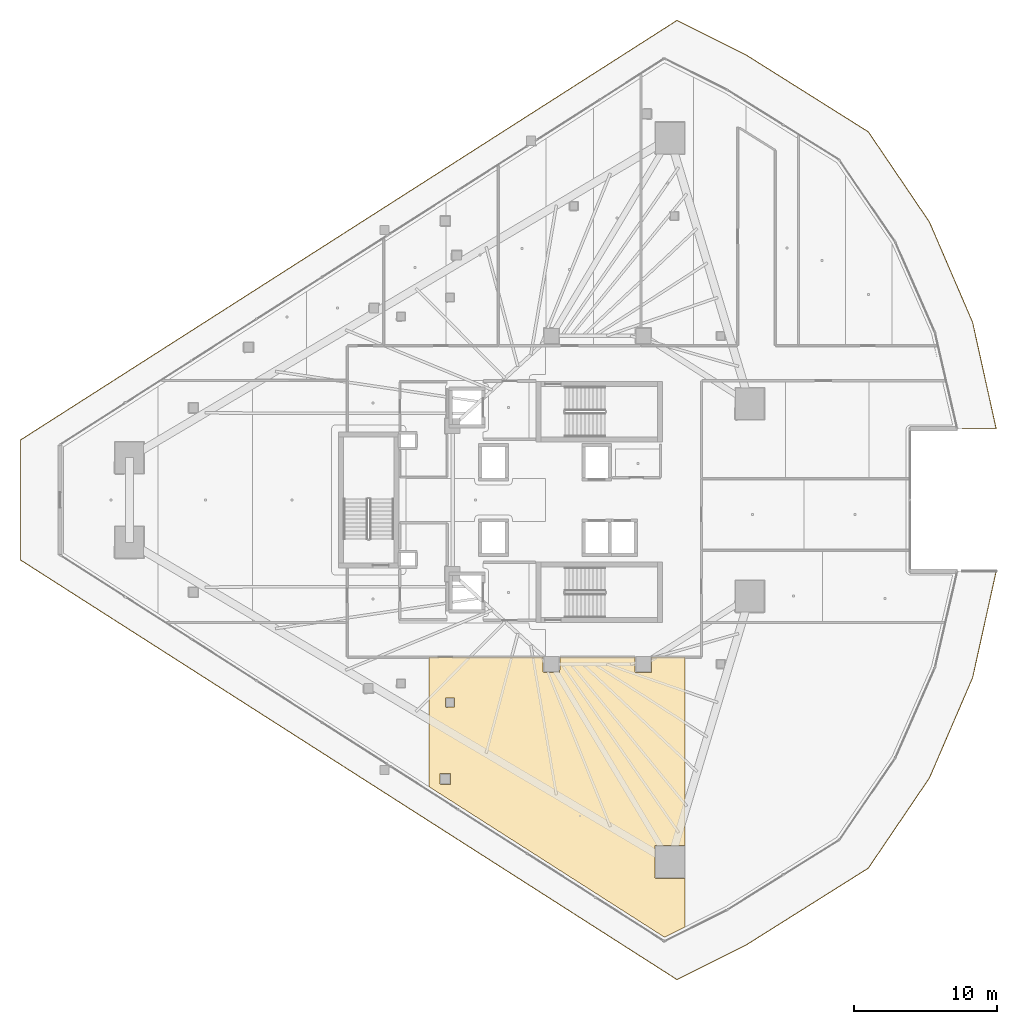
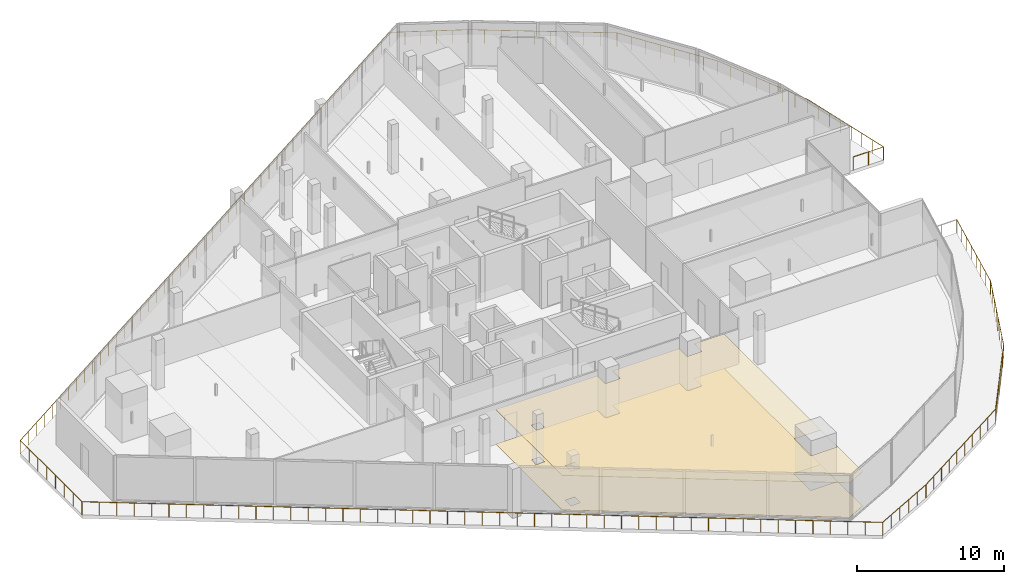
# One storey, part 31 of 35: 2 coverings, 1 railing.
"""IFC4 building model written with IfcOpenShell, lengths in metres."""

from ifc_helpers import new_model, si_unit, direction, frame, origin, origin_2d, place, context, subcontext, project, spatial, polyline, circle, outline, extrude, material, layer, layer_set, type_object, element, save


model = new_model("IFC4")

# Units and contexts
model_context = context("Model", 3, precision=1e-05, world=origin(), true_north=direction((0.0, 1.0)))
body_context = subcontext(model_context, "Body", "Model", "MODEL_VIEW")
ifc_project = project(units=[si_unit("LENGTHUNIT", "METRE"), si_unit("AREAUNIT", "SQUARE_METRE"), si_unit("VOLUMEUNIT", "CUBIC_METRE"), si_unit("PLANEANGLEUNIT", "RADIAN"), si_unit("MASSUNIT", "GRAM", prefix="KILO")], contexts=[model_context])

# Site, building, storey
site_placement = place(None, origin())
site = spatial("IfcSite", under=ifc_project, at=site_placement, CompositionType="ELEMENT")
building_placement = place(site_placement, origin())
building = spatial("IfcBuilding", under=site, at=building_placement, Name="Qorvath Tower", CompositionType="ELEMENT")
storey_placement = place(building_placement, frame((0.0, 0.0, 130.050048828125)))
storey = spatial("IfcBuildingStorey", under=building, at=storey_placement, Name="L29", CompositionType="ELEMENT", Elevation=130.050048828125)

# Coverings
ifc_material_1 = material(Name="Acoustic mineral fibre ceiling tile", Category="gypsum")
ifc_layer_1 = layer(ifc_material_1, 0.030029296875)
ifc_layer_set_1 = layer_set([ifc_layer_1], Name="COV-CEIL")
covering_type_1 = type_object("IfcCoveringType", Name="COV-CEIL", PredefinedType="CEILING", material=ifc_layer_set_1)
covering_1_placement = place(storey_placement, frame((0.0, 0.0, 2.849853515625)))
element("IfcCovering", 1, at=covering_1_placement, inside=storey, type_object=covering_type_1, Name="L29 Suspended Acoustic Ceiling 023", PredefinedType="CEILING", context=body_context, shape_type="SweptSolid", body=[
    extrude(outline(polyline([(-14.27880859375, -29.775390625), (-14.27880859375, -10.962890625), (-16.614990234375, -10.962890625), (-16.632568359375, -12.017333984375), (-17.72509765625, -12.034912109375), (-17.784912109375, -11.97509765625), (-17.784912109375, -10.962890625), (-23.014892578125, -10.962890625), (-23.032470703125, -12.017333984375), (-24.125, -12.034912109375), (-24.18505859375, -11.97509765625), (-24.18505859375, -10.962890625), (-32.165283203125, -10.962890625), (-32.165283203125, -19.98681640625), (-15.721435546875, -30.49658203125), (-14.27880859375, -29.775390625)]), holes=[polyline([(-16.404296875, -26.34619140625), (-16.38671875, -24.103759765625), (-14.3017578125, -24.103759765625), (-14.3017578125, -26.388427734375), (-16.34423828125, -26.406005859375), (-16.404296875, -26.34619140625)]), polyline([(-31.01220703125, -14.3994140625), (-30.99462890625, -13.806884765625), (-30.35986328125, -13.806884765625), (-30.35986328125, -14.441650390625), (-30.9521484375, -14.459228515625), (-31.01220703125, -14.3994140625)]), polyline([(-31.401123046875, -19.785400390625), (-31.383544921875, -19.093017578125), (-30.648681640625, -19.093017578125), (-30.648681640625, -19.827880859375), (-31.341064453125, -19.845458984375), (-31.401123046875, -19.785400390625)])]), origin(), (0.0, 0.0, 1.0), 0.030029296875),
])
ifc_material_2 = material(Name="Low-VOC modular carpet tile", Category="textile")
ifc_layer_2 = layer(ifc_material_2, 0.014892578125)
ifc_layer_set_2 = layer_set([ifc_layer_2], Name="COV-FLOOR-CPT")
covering_type_2 = type_object("IfcCoveringType", Name="COV-FLOOR-CPT", PredefinedType="FLOORING", material=ifc_layer_set_2)
covering_2_placement = place(storey_placement, origin())
element("IfcCovering", 2, at=covering_2_placement, inside=storey, type_object=covering_type_2, Name="L29 Floor Finish 023", PredefinedType="FLOORING", context=body_context, shape_type="SweptSolid", body=[
    extrude(outline(polyline([(-14.27880859375, -29.775390625), (-14.27880859375, -10.962890625), (-16.614990234375, -10.962890625), (-16.632568359375, -12.017333984375), (-17.72509765625, -12.034912109375), (-17.784912109375, -11.97509765625), (-17.784912109375, -10.962890625), (-23.014892578125, -10.962890625), (-23.032470703125, -12.017333984375), (-24.125, -12.034912109375), (-24.18505859375, -11.97509765625), (-24.18505859375, -10.962890625), (-32.165283203125, -10.962890625), (-32.165283203125, -19.98681640625), (-15.721435546875, -30.49658203125), (-14.27880859375, -29.775390625)]), holes=[polyline([(-16.404296875, -26.34619140625), (-16.38671875, -24.103759765625), (-14.3017578125, -24.103759765625), (-14.3017578125, -26.388427734375), (-16.34423828125, -26.406005859375), (-16.404296875, -26.34619140625)]), polyline([(-31.01220703125, -14.3994140625), (-30.99462890625, -13.806884765625), (-30.35986328125, -13.806884765625), (-30.35986328125, -14.441650390625), (-30.9521484375, -14.459228515625), (-31.01220703125, -14.3994140625)]), polyline([(-31.401123046875, -19.785400390625), (-31.383544921875, -19.093017578125), (-30.648681640625, -19.093017578125), (-30.648681640625, -19.827880859375), (-31.341064453125, -19.845458984375), (-31.401123046875, -19.785400390625)])]), origin(), (0.0, 0.0, 1.0), 0.014892578125),
])

# Railing
ifc_material_3 = material(Name="Laminated safety glass and stainless steel AISI 316", Category="steel")
railing_type = type_object("IfcRailingType", Name="RL-EXT-GRD", PredefinedType="GUARDRAIL", material=ifc_material_3)
railing_placement = place(storey_placement, frame((7.4150390625, -4.968017578125, 0.0)))
element("IfcRailing", 3, at=railing_placement, inside=storey, type_object=railing_type, Name="Loggia Perimeter Guardrail L29-1.1", PredefinedType="GUARDRAIL", context=body_context, shape_type="SweptSolid", body=[
    extrude(circle(Radius=0.02392578125, at=origin_2d()), frame((0.0, 0.0, 1.09619140625), z_axis=(-0.216101297226, -0.976370948634, 0.0), x_axis=(0.976370948634, -0.216101297226, 0.0)), (0.0, 0.0, 1.0), 7.607666015625),
    extrude(circle(Radius=0.02392578125, at=origin_2d()), frame((-1.64404296875, -7.427978515625, 1.09619140625), z_axis=(-0.395471886854, -0.918478081779, 0.0), x_axis=(0.918478081779, -0.395471886854, 0.0)), (0.0, 0.0, 1.0), 7.607421875),
    extrude(circle(Radius=0.02392578125, at=origin_2d()), frame((-4.652587890625, -14.415283203125, 1.09619140625), z_axis=(-0.560831824611, -0.827929746116, 0.0), x_axis=(0.827929746116, -0.560831824611, 0.0)), (0.0, 0.0, 1.0), 7.607666015625),
    extrude(circle(Radius=0.02392578125, at=origin_2d()), frame((-8.919189453125, -20.7138671875, 1.09619140625), z_axis=(-0.846499520237, -0.532389483592, 0.0), x_axis=(0.532389483592, -0.846499520237, 0.0)), (0.0, 0.0, 1.0), 10.11669921875),
    extrude(circle(Radius=0.02392578125, at=origin_2d()), frame((-17.48291015625, -26.099853515625, 1.09619140625), z_axis=(-0.894418053376, -0.447231870281, 0.0), x_axis=(0.447231870281, -0.894418053376, 0.0)), (0.0, 0.0, 1.0), 5.34375),
    extrude(circle(Radius=0.02392578125, at=origin_2d()), frame((-22.262451171875, -28.48974609375, 1.09619140625), z_axis=(-0.842602631353, 0.538535797916, 0.0), x_axis=(-0.538535797916, -0.842602631353, 0.0)), (0.0, 0.0, 1.0), 54.361572265625),
    extrude(circle(Radius=0.02392578125, at=origin_2d()), frame((-68.067626953125, 0.785888671875, 1.09619140625), z_axis=(0.0, 1.0, 0.0), x_axis=(-1.0, 0.0, 0.0)), (0.0, 0.0, 1.0), 8.3642578125),
    extrude(circle(Radius=0.02392578125, at=origin_2d()), frame((-68.067626953125, 9.150146484375, 1.09619140625), z_axis=(0.842602631353, 0.538535797916, 0.0), x_axis=(-0.538535797916, 0.842602631353, 0.0)), (0.0, 0.0, 1.0), 54.361572265625),
    extrude(circle(Radius=0.02392578125, at=origin_2d()), frame((-22.262451171875, 38.42578125, 1.09619140625), z_axis=(0.894418053376, -0.447231870281, 0.0), x_axis=(0.447231870281, 0.894418053376, 0.0)), (0.0, 0.0, 1.0), 5.34375),
    extrude(circle(Radius=0.02392578125, at=origin_2d()), frame((-17.48291015625, 36.035888671875, 1.09619140625), z_axis=(0.846499520237, -0.532389483592, 0.0), x_axis=(0.532389483592, 0.846499520237, 0.0)), (0.0, 0.0, 1.0), 10.11669921875),
    extrude(circle(Radius=0.02392578125, at=origin_2d()), frame((-8.919189453125, 30.64990234375, 1.09619140625), z_axis=(0.560831824611, -0.827929746116, 0.0), x_axis=(0.827929746116, 0.560831824611, 0.0)), (0.0, 0.0, 1.0), 7.607666015625),
    extrude(circle(Radius=0.02392578125, at=origin_2d()), frame((-4.652587890625, 24.351318359375, 1.09619140625), z_axis=(0.395471886854, -0.918478081779, 0.0), x_axis=(0.918478081779, 0.395471886854, 0.0)), (0.0, 0.0, 1.0), 7.607421875),
    extrude(circle(Radius=0.02392578125, at=origin_2d()), frame((-1.64404296875, 17.364013671875, 1.09619140625), z_axis=(0.216101297226, -0.976370948634, 0.0), x_axis=(0.976370948634, 0.216101297226, 0.0)), (0.0, 0.0, 1.0), 7.607666015625),
    extrude(circle(Radius=0.02392578125, at=origin_2d()), frame((0.0, 9.93603515625, 1.09619140625), z_axis=(-1.0, 0.0, 0.0), x_axis=(0.0, -1.0, 0.0)), (0.0, 0.0, 1.0), 2.366455078125),
    extrude(circle(Radius=0.02099609375, at=origin_2d()), origin(), (0.0, 0.0, 1.0), 1.072021484375),
    extrude(circle(Radius=0.02099609375, at=origin_2d()), frame((-0.23486328125, -1.06103515625, 0.0)), (0.0, 0.0, 1.0), 1.072021484375),
    extrude(circle(Radius=0.02099609375, at=origin_2d()), frame((-0.4697265625, -2.122314453125, 0.0)), (0.0, 0.0, 1.0), 1.072021484375),
    extrude(circle(Radius=0.02099609375, at=origin_2d()), frame((-0.70458984375, -3.183349609375, 0.0)), (0.0, 0.0, 1.0), 1.072021484375),
    extrude(circle(Radius=0.02099609375, at=origin_2d()), frame((-0.939453125, -4.24462890625, 0.0)), (0.0, 0.0, 1.0), 1.072021484375),
    extrude(circle(Radius=0.02099609375, at=origin_2d()), frame((-1.17431640625, -5.3056640625, 0.0)), (0.0, 0.0, 1.0), 1.072021484375),
    extrude(circle(Radius=0.02099609375, at=origin_2d()), frame((-1.4091796875, -6.366943359375, 0.0)), (0.0, 0.0, 1.0), 1.072021484375),
    extrude(circle(Radius=0.02099609375, at=origin_2d()), frame((-1.64404296875, -7.427978515625, 0.0)), (0.0, 0.0, 1.0), 1.072021484375),
    extrude(circle(Radius=0.02099609375, at=origin_2d()), frame((-2.07373046875, -8.42626953125, 0.0)), (0.0, 0.0, 1.0), 1.072021484375),
    extrude(circle(Radius=0.02099609375, at=origin_2d()), frame((-2.503662109375, -9.42431640625, 0.0)), (0.0, 0.0, 1.0), 1.072021484375),
    extrude(circle(Radius=0.02099609375, at=origin_2d()), frame((-2.933349609375, -10.422607421875, 0.0)), (0.0, 0.0, 1.0), 1.072021484375),
    extrude(circle(Radius=0.02099609375, at=origin_2d()), frame((-3.36328125, -11.420654296875, 0.0)), (0.0, 0.0, 1.0), 1.072021484375),
    extrude(circle(Radius=0.02099609375, at=origin_2d()), frame((-3.79296875, -12.4189453125, 0.0)), (0.0, 0.0, 1.0), 1.072021484375),
    extrude(circle(Radius=0.02099609375, at=origin_2d()), frame((-4.222900390625, -13.4169921875, 0.0)), (0.0, 0.0, 1.0), 1.072021484375),
    extrude(circle(Radius=0.02099609375, at=origin_2d()), frame((-4.652587890625, -14.415283203125, 0.0)), (0.0, 0.0, 1.0), 1.072021484375),
    extrude(circle(Radius=0.02099609375, at=origin_2d()), frame((-5.26220703125, -15.315185546875, 0.0)), (0.0, 0.0, 1.0), 1.072021484375),
    extrude(circle(Radius=0.02099609375, at=origin_2d()), frame((-5.87158203125, -16.21484375, 0.0)), (0.0, 0.0, 1.0), 1.072021484375),
    extrude(circle(Radius=0.02099609375, at=origin_2d()), frame((-6.481201171875, -17.11474609375, 0.0)), (0.0, 0.0, 1.0), 1.072021484375),
    extrude(circle(Radius=0.02099609375, at=origin_2d()), frame((-7.090576171875, -18.014404296875, 0.0)), (0.0, 0.0, 1.0), 1.072021484375),
    extrude(circle(Radius=0.02099609375, at=origin_2d()), frame((-7.7001953125, -18.914306640625, 0.0)), (0.0, 0.0, 1.0), 1.072021484375),
    extrude(circle(Radius=0.02099609375, at=origin_2d()), frame((-8.3095703125, -19.81396484375, 0.0)), (0.0, 0.0, 1.0), 1.072021484375),
    extrude(circle(Radius=0.02099609375, at=origin_2d()), frame((-8.919189453125, -20.7138671875, 0.0)), (0.0, 0.0, 1.0), 1.072021484375),
    extrude(circle(Radius=0.02099609375, at=origin_2d()), frame((-9.87060546875, -21.312255859375, 0.0)), (0.0, 0.0, 1.0), 1.072021484375),
    extrude(circle(Radius=0.02099609375, at=origin_2d()), frame((-10.822265625, -21.91064453125, 0.0)), (0.0, 0.0, 1.0), 1.072021484375),
    extrude(circle(Radius=0.02099609375, at=origin_2d()), frame((-11.773681640625, -22.50927734375, 0.0)), (0.0, 0.0, 1.0), 1.072021484375),
    extrude(circle(Radius=0.02099609375, at=origin_2d()), frame((-12.725341796875, -23.107666015625, 0.0)), (0.0, 0.0, 1.0), 1.072021484375),
    extrude(circle(Radius=0.02099609375, at=origin_2d()), frame((-13.6767578125, -23.7060546875, 0.0)), (0.0, 0.0, 1.0), 1.072021484375),
    extrude(circle(Radius=0.02099609375, at=origin_2d()), frame((-14.62841796875, -24.304443359375, 0.0)), (0.0, 0.0, 1.0), 1.072021484375),
    extrude(circle(Radius=0.02099609375, at=origin_2d()), frame((-15.579833984375, -24.903076171875, 0.0)), (0.0, 0.0, 1.0), 1.072021484375),
    extrude(circle(Radius=0.02099609375, at=origin_2d()), frame((-16.531494140625, -25.50146484375, 0.0)), (0.0, 0.0, 1.0), 1.072021484375),
    extrude(circle(Radius=0.02099609375, at=origin_2d()), frame((-17.48291015625, -26.099853515625, 0.0)), (0.0, 0.0, 1.0), 1.072021484375),
    extrude(circle(Radius=0.02099609375, at=origin_2d()), frame((-18.438720703125, -26.577880859375, 0.0)), (0.0, 0.0, 1.0), 1.072021484375),
    extrude(circle(Radius=0.02099609375, at=origin_2d()), frame((-19.394775390625, -27.055908203125, 0.0)), (0.0, 0.0, 1.0), 1.072021484375),
    extrude(circle(Radius=0.02099609375, at=origin_2d()), frame((-20.3505859375, -27.53369140625, 0.0)), (0.0, 0.0, 1.0), 1.072021484375),
    extrude(circle(Radius=0.02099609375, at=origin_2d()), frame((-21.306640625, -28.01171875, 0.0)), (0.0, 0.0, 1.0), 1.072021484375),
    extrude(circle(Radius=0.02099609375, at=origin_2d()), frame((-22.262451171875, -28.48974609375, 0.0)), (0.0, 0.0, 1.0), 1.072021484375),
    extrude(circle(Radius=0.02099609375, at=origin_2d()), frame((-23.25830078125, -27.853271484375, 0.0)), (0.0, 0.0, 1.0), 1.072021484375),
    extrude(circle(Radius=0.02099609375, at=origin_2d()), frame((-24.25390625, -27.216796875, 0.0)), (0.0, 0.0, 1.0), 1.072021484375),
    extrude(circle(Radius=0.02099609375, at=origin_2d()), frame((-25.249755859375, -26.58056640625, 0.0)), (0.0, 0.0, 1.0), 1.072021484375),
    extrude(circle(Radius=0.02099609375, at=origin_2d()), frame((-26.24560546875, -25.944091796875, 0.0)), (0.0, 0.0, 1.0), 1.072021484375),
    extrude(circle(Radius=0.02099609375, at=origin_2d()), frame((-27.2412109375, -25.3076171875, 0.0)), (0.0, 0.0, 1.0), 1.072021484375),
    extrude(circle(Radius=0.02099609375, at=origin_2d()), frame((-28.237060546875, -24.671142578125, 0.0)), (0.0, 0.0, 1.0), 1.072021484375),
    extrude(circle(Radius=0.02099609375, at=origin_2d()), frame((-29.23291015625, -24.03466796875, 0.0)), (0.0, 0.0, 1.0), 1.072021484375),
    extrude(circle(Radius=0.02099609375, at=origin_2d()), frame((-30.228515625, -23.3984375, 0.0)), (0.0, 0.0, 1.0), 1.072021484375),
    extrude(circle(Radius=0.02099609375, at=origin_2d()), frame((-31.224365234375, -22.761962890625, 0.0)), (0.0, 0.0, 1.0), 1.072021484375),
    extrude(circle(Radius=0.02099609375, at=origin_2d()), frame((-32.22021484375, -22.12548828125, 0.0)), (0.0, 0.0, 1.0), 1.072021484375),
    extrude(circle(Radius=0.02099609375, at=origin_2d()), frame((-33.2158203125, -21.489013671875, 0.0)), (0.0, 0.0, 1.0), 1.072021484375),
    extrude(circle(Radius=0.02099609375, at=origin_2d()), frame((-34.211669921875, -20.8525390625, 0.0)), (0.0, 0.0, 1.0), 1.072021484375),
    extrude(circle(Radius=0.02099609375, at=origin_2d()), frame((-35.207275390625, -20.21630859375, 0.0)), (0.0, 0.0, 1.0), 1.072021484375),
    extrude(circle(Radius=0.02099609375, at=origin_2d()), frame((-36.203125, -19.579833984375, 0.0)), (0.0, 0.0, 1.0), 1.072021484375),
    extrude(circle(Radius=0.02099609375, at=origin_2d()), frame((-37.198974609375, -18.943359375, 0.0)), (0.0, 0.0, 1.0), 1.072021484375),
    extrude(circle(Radius=0.02099609375, at=origin_2d()), frame((-38.194580078125, -18.306884765625, 0.0)), (0.0, 0.0, 1.0), 1.072021484375),
    extrude(circle(Radius=0.02099609375, at=origin_2d()), frame((-39.1904296875, -17.67041015625, 0.0)), (0.0, 0.0, 1.0), 1.072021484375),
    extrude(circle(Radius=0.02099609375, at=origin_2d()), frame((-40.186279296875, -17.0341796875, 0.0)), (0.0, 0.0, 1.0), 1.072021484375),
    extrude(circle(Radius=0.02099609375, at=origin_2d()), frame((-41.181884765625, -16.397705078125, 0.0)), (0.0, 0.0, 1.0), 1.072021484375),
    extrude(circle(Radius=0.02099609375, at=origin_2d()), frame((-42.177734375, -15.76123046875, 0.0)), (0.0, 0.0, 1.0), 1.072021484375),
    extrude(circle(Radius=0.02099609375, at=origin_2d()), frame((-43.173583984375, -15.124755859375, 0.0)), (0.0, 0.0, 1.0), 1.072021484375),
    extrude(circle(Radius=0.02099609375, at=origin_2d()), frame((-44.169189453125, -14.48828125, 0.0)), (0.0, 0.0, 1.0), 1.072021484375),
    extrude(circle(Radius=0.02099609375, at=origin_2d()), frame((-45.1650390625, -13.85205078125, 0.0)), (0.0, 0.0, 1.0), 1.072021484375),
    extrude(circle(Radius=0.02099609375, at=origin_2d()), frame((-46.160888671875, -13.215576171875, 0.0)), (0.0, 0.0, 1.0), 1.072021484375),
    extrude(circle(Radius=0.02099609375, at=origin_2d()), frame((-47.156494140625, -12.5791015625, 0.0)), (0.0, 0.0, 1.0), 1.072021484375),
    extrude(circle(Radius=0.02099609375, at=origin_2d()), frame((-48.15234375, -11.942626953125, 0.0)), (0.0, 0.0, 1.0), 1.072021484375),
    extrude(circle(Radius=0.02099609375, at=origin_2d()), frame((-49.148193359375, -11.30615234375, 0.0)), (0.0, 0.0, 1.0), 1.072021484375),
    extrude(circle(Radius=0.02099609375, at=origin_2d()), frame((-50.143798828125, -10.669677734375, 0.0)), (0.0, 0.0, 1.0), 1.072021484375),
    extrude(circle(Radius=0.02099609375, at=origin_2d()), frame((-51.1396484375, -10.033447265625, 0.0)), (0.0, 0.0, 1.0), 1.072021484375),
    extrude(circle(Radius=0.02099609375, at=origin_2d()), frame((-52.135498046875, -9.39697265625, 0.0)), (0.0, 0.0, 1.0), 1.072021484375),
    extrude(circle(Radius=0.02099609375, at=origin_2d()), frame((-53.131103515625, -8.760498046875, 0.0)), (0.0, 0.0, 1.0), 1.072021484375),
    extrude(circle(Radius=0.02099609375, at=origin_2d()), frame((-54.126953125, -8.1240234375, 0.0)), (0.0, 0.0, 1.0), 1.072021484375),
    extrude(circle(Radius=0.02099609375, at=origin_2d()), frame((-55.122802734375, -7.487548828125, 0.0)), (0.0, 0.0, 1.0), 1.072021484375),
    extrude(circle(Radius=0.02099609375, at=origin_2d()), frame((-56.118408203125, -6.851318359375, 0.0)), (0.0, 0.0, 1.0), 1.072021484375),
    extrude(circle(Radius=0.02099609375, at=origin_2d()), frame((-57.1142578125, -6.21484375, 0.0)), (0.0, 0.0, 1.0), 1.072021484375),
    extrude(circle(Radius=0.02099609375, at=origin_2d()), frame((-58.10986328125, -5.578369140625, 0.0)), (0.0, 0.0, 1.0), 1.072021484375),
    extrude(circle(Radius=0.02099609375, at=origin_2d()), frame((-59.105712890625, -4.94189453125, 0.0)), (0.0, 0.0, 1.0), 1.072021484375),
    extrude(circle(Radius=0.02099609375, at=origin_2d()), frame((-60.1015625, -4.305419921875, 0.0)), (0.0, 0.0, 1.0), 1.072021484375),
    extrude(circle(Radius=0.02099609375, at=origin_2d()), frame((-61.09716796875, -3.669189453125, 0.0)), (0.0, 0.0, 1.0), 1.072021484375),
    extrude(circle(Radius=0.02099609375, at=origin_2d()), frame((-62.093017578125, -3.03271484375, 0.0)), (0.0, 0.0, 1.0), 1.072021484375),
    extrude(circle(Radius=0.02099609375, at=origin_2d()), frame((-63.0888671875, -2.396240234375, 0.0)), (0.0, 0.0, 1.0), 1.072021484375),
    extrude(circle(Radius=0.02099609375, at=origin_2d()), frame((-64.08447265625, -1.759765625, 0.0)), (0.0, 0.0, 1.0), 1.072021484375),
    extrude(circle(Radius=0.02099609375, at=origin_2d()), frame((-65.080322265625, -1.123291015625, 0.0)), (0.0, 0.0, 1.0), 1.072021484375),
    extrude(circle(Radius=0.02099609375, at=origin_2d()), frame((-66.076171875, -0.487060546875, 0.0)), (0.0, 0.0, 1.0), 1.072021484375),
    extrude(circle(Radius=0.02099609375, at=origin_2d()), frame((-67.07177734375, 0.1494140625, 0.0)), (0.0, 0.0, 1.0), 1.072021484375),
    extrude(circle(Radius=0.02099609375, at=origin_2d()), frame((-68.067626953125, 0.785888671875, 0.0)), (0.0, 0.0, 1.0), 1.072021484375),
    extrude(circle(Radius=0.02099609375, at=origin_2d()), frame((-68.067626953125, 1.980712890625, 0.0)), (0.0, 0.0, 1.0), 1.072021484375),
    extrude(circle(Radius=0.02099609375, at=origin_2d()), frame((-68.067626953125, 3.17578125, 0.0)), (0.0, 0.0, 1.0), 1.072021484375),
    extrude(circle(Radius=0.02099609375, at=origin_2d()), frame((-68.067626953125, 4.37060546875, 0.0)), (0.0, 0.0, 1.0), 1.072021484375),
    extrude(circle(Radius=0.02099609375, at=origin_2d()), frame((-68.067626953125, 5.5654296875, 0.0)), (0.0, 0.0, 1.0), 1.072021484375),
    extrude(circle(Radius=0.02099609375, at=origin_2d()), frame((-68.067626953125, 6.76025390625, 0.0)), (0.0, 0.0, 1.0), 1.072021484375),
    extrude(circle(Radius=0.02099609375, at=origin_2d()), frame((-68.067626953125, 7.955322265625, 0.0)), (0.0, 0.0, 1.0), 1.072021484375),
    extrude(circle(Radius=0.02099609375, at=origin_2d()), frame((-68.067626953125, 9.150146484375, 0.0)), (0.0, 0.0, 1.0), 1.072021484375),
    extrude(circle(Radius=0.02099609375, at=origin_2d()), frame((-67.07177734375, 9.78662109375, 0.0)), (0.0, 0.0, 1.0), 1.072021484375),
    extrude(circle(Radius=0.02099609375, at=origin_2d()), frame((-66.076171875, 10.423095703125, 0.0)), (0.0, 0.0, 1.0), 1.072021484375),
    extrude(circle(Radius=0.02099609375, at=origin_2d()), frame((-65.080322265625, 11.059326171875, 0.0)), (0.0, 0.0, 1.0), 1.072021484375),
    extrude(circle(Radius=0.02099609375, at=origin_2d()), frame((-64.08447265625, 11.69580078125, 0.0)), (0.0, 0.0, 1.0), 1.072021484375),
    extrude(circle(Radius=0.02099609375, at=origin_2d()), frame((-63.0888671875, 12.332275390625, 0.0)), (0.0, 0.0, 1.0), 1.072021484375),
    extrude(circle(Radius=0.02099609375, at=origin_2d()), frame((-62.093017578125, 12.96875, 0.0)), (0.0, 0.0, 1.0), 1.072021484375),
    extrude(circle(Radius=0.02099609375, at=origin_2d()), frame((-61.09716796875, 13.605224609375, 0.0)), (0.0, 0.0, 1.0), 1.072021484375),
    extrude(circle(Radius=0.02099609375, at=origin_2d()), frame((-60.1015625, 14.241455078125, 0.0)), (0.0, 0.0, 1.0), 1.072021484375),
    extrude(circle(Radius=0.02099609375, at=origin_2d()), frame((-59.105712890625, 14.8779296875, 0.0)), (0.0, 0.0, 1.0), 1.072021484375),
    extrude(circle(Radius=0.02099609375, at=origin_2d()), frame((-58.10986328125, 15.514404296875, 0.0)), (0.0, 0.0, 1.0), 1.072021484375),
    extrude(circle(Radius=0.02099609375, at=origin_2d()), frame((-57.1142578125, 16.15087890625, 0.0)), (0.0, 0.0, 1.0), 1.072021484375),
    extrude(circle(Radius=0.02099609375, at=origin_2d()), frame((-56.118408203125, 16.787353515625, 0.0)), (0.0, 0.0, 1.0), 1.072021484375),
    extrude(circle(Radius=0.02099609375, at=origin_2d()), frame((-55.122802734375, 17.423583984375, 0.0)), (0.0, 0.0, 1.0), 1.072021484375),
    extrude(circle(Radius=0.02099609375, at=origin_2d()), frame((-54.126953125, 18.06005859375, 0.0)), (0.0, 0.0, 1.0), 1.072021484375),
    extrude(circle(Radius=0.02099609375, at=origin_2d()), frame((-53.131103515625, 18.696533203125, 0.0)), (0.0, 0.0, 1.0), 1.072021484375),
    extrude(circle(Radius=0.02099609375, at=origin_2d()), frame((-52.135498046875, 19.3330078125, 0.0)), (0.0, 0.0, 1.0), 1.072021484375),
    extrude(circle(Radius=0.02099609375, at=origin_2d()), frame((-51.1396484375, 19.969482421875, 0.0)), (0.0, 0.0, 1.0), 1.072021484375),
    extrude(circle(Radius=0.02099609375, at=origin_2d()), frame((-50.143798828125, 20.605712890625, 0.0)), (0.0, 0.0, 1.0), 1.072021484375),
    extrude(circle(Radius=0.02099609375, at=origin_2d()), frame((-49.148193359375, 21.2421875, 0.0)), (0.0, 0.0, 1.0), 1.072021484375),
    extrude(circle(Radius=0.02099609375, at=origin_2d()), frame((-48.15234375, 21.878662109375, 0.0)), (0.0, 0.0, 1.0), 1.072021484375),
    extrude(circle(Radius=0.02099609375, at=origin_2d()), frame((-47.156494140625, 22.51513671875, 0.0)), (0.0, 0.0, 1.0), 1.072021484375),
    extrude(circle(Radius=0.02099609375, at=origin_2d()), frame((-46.160888671875, 23.151611328125, 0.0)), (0.0, 0.0, 1.0), 1.072021484375),
    extrude(circle(Radius=0.02099609375, at=origin_2d()), frame((-45.1650390625, 23.7880859375, 0.0)), (0.0, 0.0, 1.0), 1.072021484375),
    extrude(circle(Radius=0.02099609375, at=origin_2d()), frame((-44.169189453125, 24.42431640625, 0.0)), (0.0, 0.0, 1.0), 1.072021484375),
    extrude(circle(Radius=0.02099609375, at=origin_2d()), frame((-43.173583984375, 25.060791015625, 0.0)), (0.0, 0.0, 1.0), 1.072021484375),
    extrude(circle(Radius=0.02099609375, at=origin_2d()), frame((-42.177734375, 25.697265625, 0.0)), (0.0, 0.0, 1.0), 1.072021484375),
    extrude(circle(Radius=0.02099609375, at=origin_2d()), frame((-41.181884765625, 26.333740234375, 0.0)), (0.0, 0.0, 1.0), 1.072021484375),
    extrude(circle(Radius=0.02099609375, at=origin_2d()), frame((-40.186279296875, 26.97021484375, 0.0)), (0.0, 0.0, 1.0), 1.072021484375),
    extrude(circle(Radius=0.02099609375, at=origin_2d()), frame((-39.1904296875, 27.6064453125, 0.0)), (0.0, 0.0, 1.0), 1.072021484375),
    extrude(circle(Radius=0.02099609375, at=origin_2d()), frame((-38.194580078125, 28.242919921875, 0.0)), (0.0, 0.0, 1.0), 1.072021484375),
    extrude(circle(Radius=0.02099609375, at=origin_2d()), frame((-37.198974609375, 28.87939453125, 0.0)), (0.0, 0.0, 1.0), 1.072021484375),
    extrude(circle(Radius=0.02099609375, at=origin_2d()), frame((-36.203125, 29.515869140625, 0.0)), (0.0, 0.0, 1.0), 1.072021484375),
    extrude(circle(Radius=0.02099609375, at=origin_2d()), frame((-35.207275390625, 30.15234375, 0.0)), (0.0, 0.0, 1.0), 1.072021484375),
    extrude(circle(Radius=0.02099609375, at=origin_2d()), frame((-34.211669921875, 30.78857421875, 0.0)), (0.0, 0.0, 1.0), 1.072021484375),
    extrude(circle(Radius=0.02099609375, at=origin_2d()), frame((-33.2158203125, 31.425048828125, 0.0)), (0.0, 0.0, 1.0), 1.072021484375),
    extrude(circle(Radius=0.02099609375, at=origin_2d()), frame((-32.22021484375, 32.0615234375, 0.0)), (0.0, 0.0, 1.0), 1.072021484375),
    extrude(circle(Radius=0.02099609375, at=origin_2d()), frame((-31.224365234375, 32.697998046875, 0.0)), (0.0, 0.0, 1.0), 1.072021484375),
    extrude(circle(Radius=0.02099609375, at=origin_2d()), frame((-30.228515625, 33.33447265625, 0.0)), (0.0, 0.0, 1.0), 1.072021484375),
    extrude(circle(Radius=0.02099609375, at=origin_2d()), frame((-29.23291015625, 33.970703125, 0.0)), (0.0, 0.0, 1.0), 1.072021484375),
    extrude(circle(Radius=0.02099609375, at=origin_2d()), frame((-28.237060546875, 34.607177734375, 0.0)), (0.0, 0.0, 1.0), 1.072021484375),
    extrude(circle(Radius=0.02099609375, at=origin_2d()), frame((-27.2412109375, 35.24365234375, 0.0)), (0.0, 0.0, 1.0), 1.072021484375),
    extrude(circle(Radius=0.02099609375, at=origin_2d()), frame((-26.24560546875, 35.880126953125, 0.0)), (0.0, 0.0, 1.0), 1.072021484375),
    extrude(circle(Radius=0.02099609375, at=origin_2d()), frame((-25.249755859375, 36.5166015625, 0.0)), (0.0, 0.0, 1.0), 1.072021484375),
    extrude(circle(Radius=0.02099609375, at=origin_2d()), frame((-24.25390625, 37.15283203125, 0.0)), (0.0, 0.0, 1.0), 1.072021484375),
    extrude(circle(Radius=0.02099609375, at=origin_2d()), frame((-23.25830078125, 37.789306640625, 0.0)), (0.0, 0.0, 1.0), 1.072021484375),
    extrude(circle(Radius=0.02099609375, at=origin_2d()), frame((-22.262451171875, 38.42578125, 0.0)), (0.0, 0.0, 1.0), 1.072021484375),
    extrude(circle(Radius=0.02099609375, at=origin_2d()), frame((-21.306640625, 37.94775390625, 0.0)), (0.0, 0.0, 1.0), 1.072021484375),
    extrude(circle(Radius=0.02099609375, at=origin_2d()), frame((-20.3505859375, 37.4697265625, 0.0)), (0.0, 0.0, 1.0), 1.072021484375),
    extrude(circle(Radius=0.02099609375, at=origin_2d()), frame((-19.394775390625, 36.991943359375, 0.0)), (0.0, 0.0, 1.0), 1.072021484375),
    extrude(circle(Radius=0.02099609375, at=origin_2d()), frame((-18.438720703125, 36.513916015625, 0.0)), (0.0, 0.0, 1.0), 1.072021484375),
    extrude(circle(Radius=0.02099609375, at=origin_2d()), frame((-17.48291015625, 36.035888671875, 0.0)), (0.0, 0.0, 1.0), 1.072021484375),
    extrude(circle(Radius=0.02099609375, at=origin_2d()), frame((-16.531494140625, 35.4375, 0.0)), (0.0, 0.0, 1.0), 1.072021484375),
    extrude(circle(Radius=0.02099609375, at=origin_2d()), frame((-15.579833984375, 34.839111328125, 0.0)), (0.0, 0.0, 1.0), 1.072021484375),
    extrude(circle(Radius=0.02099609375, at=origin_2d()), frame((-14.62841796875, 34.240478515625, 0.0)), (0.0, 0.0, 1.0), 1.072021484375),
    extrude(circle(Radius=0.02099609375, at=origin_2d()), frame((-13.6767578125, 33.64208984375, 0.0)), (0.0, 0.0, 1.0), 1.072021484375),
    extrude(circle(Radius=0.02099609375, at=origin_2d()), frame((-12.725341796875, 33.043701171875, 0.0)), (0.0, 0.0, 1.0), 1.072021484375),
    extrude(circle(Radius=0.02099609375, at=origin_2d()), frame((-11.773681640625, 32.4453125, 0.0)), (0.0, 0.0, 1.0), 1.072021484375),
    extrude(circle(Radius=0.02099609375, at=origin_2d()), frame((-10.822265625, 31.8466796875, 0.0)), (0.0, 0.0, 1.0), 1.072021484375),
    extrude(circle(Radius=0.02099609375, at=origin_2d()), frame((-9.87060546875, 31.248291015625, 0.0)), (0.0, 0.0, 1.0), 1.072021484375),
    extrude(circle(Radius=0.02099609375, at=origin_2d()), frame((-8.919189453125, 30.64990234375, 0.0)), (0.0, 0.0, 1.0), 1.072021484375),
    extrude(circle(Radius=0.02099609375, at=origin_2d()), frame((-8.3095703125, 29.75, 0.0)), (0.0, 0.0, 1.0), 1.072021484375),
    extrude(circle(Radius=0.02099609375, at=origin_2d()), frame((-7.7001953125, 28.850341796875, 0.0)), (0.0, 0.0, 1.0), 1.072021484375),
    extrude(circle(Radius=0.02099609375, at=origin_2d()), frame((-7.090576171875, 27.950439453125, 0.0)), (0.0, 0.0, 1.0), 1.072021484375),
    extrude(circle(Radius=0.02099609375, at=origin_2d()), frame((-6.481201171875, 27.05078125, 0.0)), (0.0, 0.0, 1.0), 1.072021484375),
    extrude(circle(Radius=0.02099609375, at=origin_2d()), frame((-5.87158203125, 26.15087890625, 0.0)), (0.0, 0.0, 1.0), 1.072021484375),
    extrude(circle(Radius=0.02099609375, at=origin_2d()), frame((-5.26220703125, 25.251220703125, 0.0)), (0.0, 0.0, 1.0), 1.072021484375),
    extrude(circle(Radius=0.02099609375, at=origin_2d()), frame((-4.652587890625, 24.351318359375, 0.0)), (0.0, 0.0, 1.0), 1.072021484375),
    extrude(circle(Radius=0.02099609375, at=origin_2d()), frame((-4.222900390625, 23.35302734375, 0.0)), (0.0, 0.0, 1.0), 1.072021484375),
    extrude(circle(Radius=0.02099609375, at=origin_2d()), frame((-3.79296875, 22.35498046875, 0.0)), (0.0, 0.0, 1.0), 1.072021484375),
    extrude(circle(Radius=0.02099609375, at=origin_2d()), frame((-3.36328125, 21.356689453125, 0.0)), (0.0, 0.0, 1.0), 1.072021484375),
    extrude(circle(Radius=0.02099609375, at=origin_2d()), frame((-2.933349609375, 20.358642578125, 0.0)), (0.0, 0.0, 1.0), 1.072021484375),
    extrude(circle(Radius=0.02099609375, at=origin_2d()), frame((-2.503662109375, 19.3603515625, 0.0)), (0.0, 0.0, 1.0), 1.072021484375),
    extrude(circle(Radius=0.02099609375, at=origin_2d()), frame((-2.07373046875, 18.3623046875, 0.0)), (0.0, 0.0, 1.0), 1.072021484375),
    extrude(circle(Radius=0.02099609375, at=origin_2d()), frame((-1.64404296875, 17.364013671875, 0.0)), (0.0, 0.0, 1.0), 1.072021484375),
    extrude(circle(Radius=0.02099609375, at=origin_2d()), frame((-1.4091796875, 16.302978515625, 0.0)), (0.0, 0.0, 1.0), 1.072021484375),
    extrude(circle(Radius=0.02099609375, at=origin_2d()), frame((-1.17431640625, 15.24169921875, 0.0)), (0.0, 0.0, 1.0), 1.072021484375),
    extrude(circle(Radius=0.02099609375, at=origin_2d()), frame((-0.939453125, 14.1806640625, 0.0)), (0.0, 0.0, 1.0), 1.072021484375),
    extrude(circle(Radius=0.02099609375, at=origin_2d()), frame((-0.70458984375, 13.119384765625, 0.0)), (0.0, 0.0, 1.0), 1.072021484375),
    extrude(circle(Radius=0.02099609375, at=origin_2d()), frame((-0.4697265625, 12.058349609375, 0.0)), (0.0, 0.0, 1.0), 1.072021484375),
    extrude(circle(Radius=0.02099609375, at=origin_2d()), frame((-0.23486328125, 10.9970703125, 0.0)), (0.0, 0.0, 1.0), 1.072021484375),
    extrude(circle(Radius=0.02099609375, at=origin_2d()), frame((0.0, 9.93603515625, 0.0)), (0.0, 0.0, 1.0), 1.072021484375),
    extrude(circle(Radius=0.02099609375, at=origin_2d()), frame((-1.18310546875, 9.93603515625, 0.0)), (0.0, 0.0, 1.0), 1.072021484375),
    extrude(circle(Radius=0.02099609375, at=origin_2d()), frame((-2.366455078125, 9.93603515625, 0.0)), (0.0, 0.0, 1.0), 1.072021484375),
])

save(model, "model.ifc")
